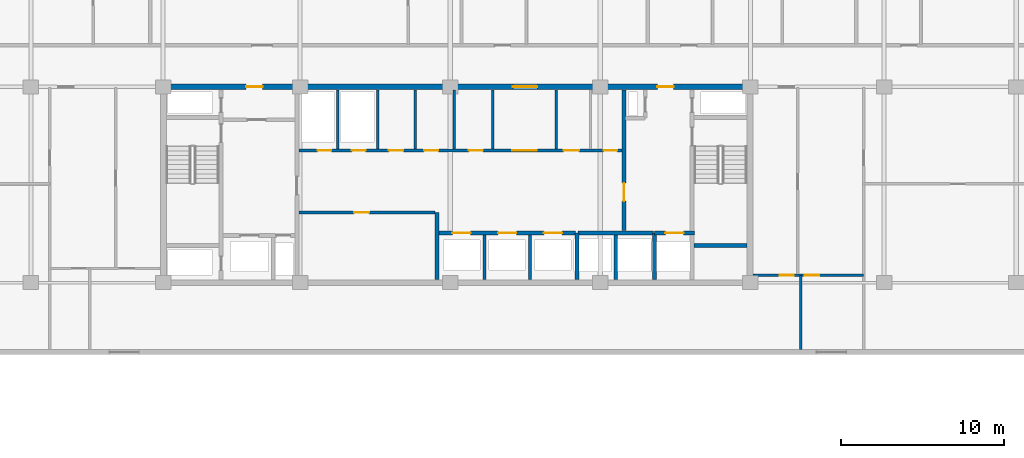
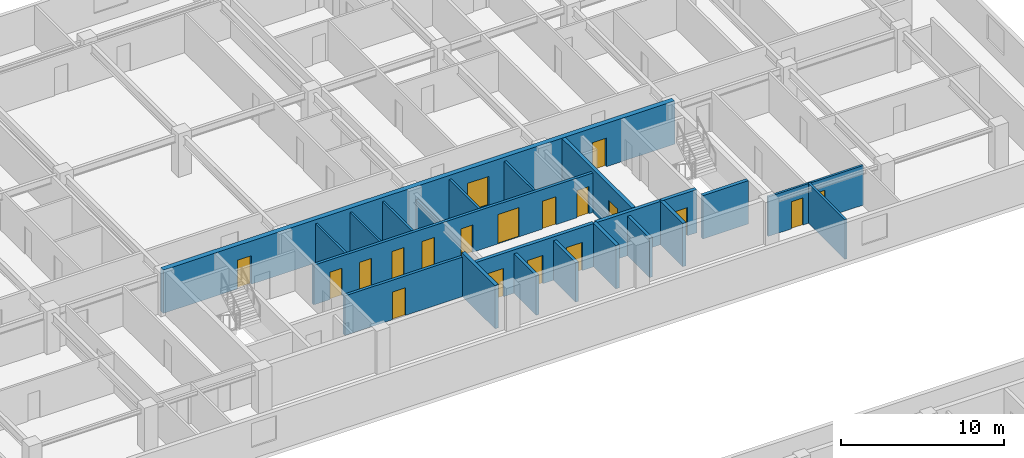
# One storey, part 12 of 22: 22 walls, 19 doors, 19 openings.
"""IFC4 building model written with IfcOpenShell, lengths in metres."""

from ifc_helpers import new_model, si_unit, direction, frame, frame_2d, origin, place, context, subcontext, project, spatial, rectangle, extrude, material, layer, layer_set, type_object, element, fill, save


model = new_model("IFC4")

# Units and contexts
model_context = context("Model", 3, precision=1e-05, world=origin(), true_north=direction((0.0, 1.0)))
body_context = subcontext(model_context, "Body", "Model", "MODEL_VIEW")
ifc_project = project(units=[si_unit("LENGTHUNIT", "METRE"), si_unit("AREAUNIT", "SQUARE_METRE"), si_unit("VOLUMEUNIT", "CUBIC_METRE"), si_unit("PLANEANGLEUNIT", "RADIAN"), si_unit("MASSUNIT", "GRAM", prefix="KILO")], contexts=[model_context])

# Site, building, storey
site_placement = place(None, origin())
site = spatial("IfcSite", under=ifc_project, at=site_placement, CompositionType="ELEMENT")
building_placement = place(site_placement, origin())
building = spatial("IfcBuilding", under=site, at=building_placement, Name="Korimba Cascade Residences", CompositionType="ELEMENT")
storey_placement = place(building_placement, frame((0.0, 0.0, 110.050048828125)))
storey = spatial("IfcBuildingStorey", under=building, at=storey_placement, Name="L31", CompositionType="ELEMENT", Elevation=110.050048828125)

# Wall, openings, doors
ifc_material_1 = material(Name="Concrete C65/80", Category="concrete")
ifc_layer_1 = layer(ifc_material_1, 0.35009765625)
ifc_layer_set_1 = layer_set([ifc_layer_1], Name="Concrete C65/80")
wall_type_1 = type_object("IfcWallType", Name="WAL-CORE-350", PredefinedType="SHEAR", material=ifc_layer_set_1)
wall_1_placement = place(storey_placement, frame((75.949951171875, 67.199951171875, 0.0), z_axis=(0.0, 0.0, 1.0), x_axis=(1.0, 0.0, 0.0)))
wall_1 = element("IfcWall", 1, at=wall_1_placement, inside=storey, type_object=wall_type_1, Name="L31 Core Shear Wall CW-L31-T1-N", PredefinedType="SHEAR", context=body_context, shape_type="SweptSolid", body=[
    extrude(rectangle(XDim=36.300048828125, YDim=0.35009765625, at=frame_2d((18.14990234375, 0.0))), origin(), (0.0, 0.0, 1.0), 3.25),
])
opening_1_placement = place(wall_1_placement, frame((5.25, 0.0, 0.0)))
opening_1 = element("IfcOpeningElement", 2, at=opening_1_placement, cuts=wall_1, Name="Opening D-FD5", PredefinedType="OPENING", context=body_context, shape_type="SweptSolid", body=[
    extrude(rectangle(XDim=1.0, YDim=2.14990234375, at=frame_2d((0.5, 1.074951171875))), frame((0.0, 0.18505859375, 0.0), z_axis=(0.0, -1.0, 0.0), x_axis=(1.0, 0.0, 0.0)), (0.0, 0.0, 1.0), 0.3701171875),
])
opening_2_placement = place(wall_1_placement, frame((21.60009765625, 0.0, 0.0)))
opening_2 = element("IfcOpeningElement", 3, at=opening_2_placement, cuts=wall_1, Name="Opening D-FD8", PredefinedType="OPENING", context=body_context, shape_type="SweptSolid", body=[
    extrude(rectangle(XDim=1.5, YDim=2.199951171875, at=frame_2d((0.75, 1.10009765625))), frame((0.0, 0.18505859375, 0.0), z_axis=(0.0, -1.0, 0.0), x_axis=(1.0, 0.0, 0.0)), (0.0, 0.0, 1.0), 0.3701171875),
])
opening_3_placement = place(wall_1_placement, frame((30.449951171875, 0.0, 0.0)))
opening_3 = element("IfcOpeningElement", 4, at=opening_3_placement, cuts=wall_1, Name="Opening D-FD5", PredefinedType="OPENING", context=body_context, shape_type="SweptSolid", body=[
    extrude(rectangle(XDim=1.0, YDim=2.14990234375, at=frame_2d((0.5, 1.074951171875))), frame((0.0, 0.18505859375, 0.0), z_axis=(0.0, -1.0, 0.0), x_axis=(1.0, 0.0, 0.0)), (0.0, 0.0, 1.0), 0.3701171875),
])
ifc_material_2 = material(Name="Fire-Rated Acoustic Timber Vestibule Door", Category="wood")
door_type_1 = type_object("IfcDoorType", Name="DR-FD90-1000", OperationType="NOTDEFINED", PredefinedType="DOOR", material=ifc_material_2)
door_1_placement = place(opening_1_placement, origin())
door_1 = element("IfcDoor", 5, at=door_1_placement, inside=storey, type_object=door_type_1, Name="L31 T1 West Core Vestibule Fire Door", OperationType="SINGLE_SWING_RIGHT", OverallHeight=2.14990234375, OverallWidth=1.0, PredefinedType="DOOR", context=body_context, shape_type="SweptSolid", body=[
    extrude(rectangle(XDim=1.0, YDim=2.14990234375, at=frame_2d((0.5, 1.074951171875))), frame((0.0, 0.02490234375, 0.0), z_axis=(0.0, -1.0, 0.0), x_axis=(1.0, 0.0, 0.0)), (0.0, 0.0, 1.0), 0.050048828125),
])
fill(opening_1, door_1)
door_2_placement = place(opening_3_placement, origin())
door_2 = element("IfcDoor", 6, at=door_2_placement, inside=storey, type_object=door_type_1, Name="L31 T1 East Firefighting Vestibule Fire Door", OperationType="SINGLE_SWING_LEFT", OverallHeight=2.14990234375, OverallWidth=1.0, PredefinedType="DOOR", context=body_context, shape_type="SweptSolid", body=[
    extrude(rectangle(XDim=1.0, YDim=2.14990234375, at=frame_2d((0.5, 1.074951171875))), frame((0.0, 0.02490234375, 0.0), z_axis=(0.0, -1.0, 0.0), x_axis=(1.0, 0.0, 0.0)), (0.0, 0.0, 1.0), 0.050048828125),
])
fill(opening_3, door_2)
ifc_material_3 = material(Name="Fire-Rated Glazed Lift Lobby Double Door", Category="glass")
door_type_2 = type_object("IfcDoorType", Name="DR-FD90-1500", OperationType="NOTDEFINED", PredefinedType="DOOR", material=ifc_material_3)
door_3_placement = place(opening_2_placement, origin())
door_3 = element("IfcDoor", 7, at=door_3_placement, inside=storey, type_object=door_type_2, Name="L31 T1 Lift Lobby Fire Door", OperationType="DOUBLE_DOOR_SINGLE_SWING", OverallHeight=2.199951171875, OverallWidth=1.5, PredefinedType="DOOR", context=body_context, shape_type="SweptSolid", body=[
    extrude(rectangle(XDim=1.5, YDim=2.199951171875, at=frame_2d((0.75, 1.10009765625))), frame((0.0, 0.02490234375, 0.0), z_axis=(0.0, -1.0, 0.0), x_axis=(1.0, 0.0, 0.0)), (0.0, 0.0, 1.0), 0.050048828125),
])
fill(opening_2, door_3)

# Walls
ifc_material_4 = material(Name="Insulated Acoustic Stud Partition", Category="gypsum")
ifc_layer_2 = layer(ifc_material_4, 0.14990234375)
ifc_layer_set_2 = layer_set([ifc_layer_2], Name="Insulated Acoustic Stud Partition")
wall_type_2 = type_object("IfcWallType", Name="WAL-PART-150", PredefinedType="PARTITIONING", material=ifc_layer_set_2)
for number, where, z_axis, x_axis, name in (
    (8, (86.800048828125, 63.39990234375, 0.0), (0.0, 0.0, 1.0), (0.0, 1.0, 0.0), "L31 Partition Wall CW-L31-T1-ERDIV"),
    (9, (89.25, 63.39990234375, 0.0), (0.0, 0.0, 1.0), (0.0, 1.0, 0.0), "L31 Partition Wall CW-L31-T1-PRDIV"),
    (10, (91.550048828125, 63.39990234375, 0.0), (0.0, 0.0, 1.0), (0.0, 1.0, 0.0), "L31 Partition Wall CW-L31-T1-CA1W1"),
):
    element("IfcWall", number, at=place(storey_placement, frame(where, z_axis=z_axis, x_axis=x_axis)), inside=storey, type_object=wall_type_2, Name=name, PredefinedType="PARTITIONING", context=body_context, shape_type="SweptSolid", body=[
        extrude(rectangle(XDim=3.60009765625, YDim=0.14990234375, at=frame_2d((1.800048828125, 0.0))), origin(), (0.0, 0.0, 1.0), 2.969970703125),
    ])
wall_2_placement = place(storey_placement, frame((93.949951171875, 63.39990234375, 0.0), z_axis=(0.0, 0.0, 1.0), x_axis=(0.0, 1.0, 0.0)))
element("IfcWall", 11, at=wall_2_placement, inside=storey, type_object=wall_type_2, Name="L31 Partition Wall CW-L31-T1-CA1W2", PredefinedType="PARTITIONING", context=body_context, shape_type="SweptSolid", body=[
    extrude(rectangle(XDim=3.60009765625, YDim=0.14990234375, at=frame_2d((1.800048828125, 0.0))), origin(), (0.0, 0.0, 1.0), 2.277099609375),
])
for number, where, z_axis, x_axis, name in (
    (12, (96.300048828125, 63.39990234375, 0.0), (0.0, 0.0, 1.0), (0.0, 1.0, 0.0), "L31 Partition Wall CW-L31-T1-THW"),
    (13, (100.199951171875, 63.39990234375, 0.0), (0.0, 0.0, 1.0), (0.0, 1.0, 0.0), "L31 Partition Wall CW-L31-T1-THE"),
):
    element("IfcWall", number, at=place(storey_placement, frame(where, z_axis=z_axis, x_axis=x_axis)), inside=storey, type_object=wall_type_2, Name=name, PredefinedType="PARTITIONING", context=body_context, shape_type="SweptSolid", body=[
        extrude(rectangle(XDim=3.60009765625, YDim=0.14990234375, at=frame_2d((1.800048828125, 0.0))), origin(), (0.0, 0.0, 1.0), 2.969970703125),
    ])
wall_3_placement = place(storey_placement, frame((115.199951171875, 51.10009765625, 0.0), z_axis=(0.0, 0.0, 1.0), x_axis=(0.0, 1.0, 0.0)))
element("IfcWall", 14, at=wall_3_placement, inside=storey, type_object=wall_type_2, Name="L31 Partition Wall WAL-L31-T1-FE-VS", PredefinedType="PARTITIONING", context=body_context, shape_type="SweptSolid", body=[
    extrude(rectangle(XDim=4.5498046875, YDim=0.14990234375, at=frame_2d((2.27490234375, 0.0))), origin(), (0.0, 0.0, 1.0), 2.969970703125),
])

# Wall, openings, doors
wall_4_placement = place(storey_placement, frame((112.27001953125, 55.64990234375, 0.0), z_axis=(0.0, 0.0, 1.0), x_axis=(1.0, 0.0, 0.0)))
wall_4 = element("IfcWall", 15, at=wall_4_placement, inside=storey, type_object=wall_type_2, Name="L31 Partition Wall WAL-L31-T1-FE-H", PredefinedType="PARTITIONING", context=body_context, shape_type="SweptSolid", body=[
    extrude(rectangle(XDim=6.760009765625, YDim=0.14990234375, at=frame_2d((3.3798828125, 0.0))), origin(), (0.0, 0.0, 1.0), 2.969970703125),
])
opening_4_placement = place(wall_4_placement, frame((1.6396484375, 0.0, 0.0)))
opening_4 = element("IfcOpeningElement", 16, at=opening_4_placement, cuts=wall_4, Name="Opening D-BT1", PredefinedType="OPENING", context=body_context, shape_type="SweptSolid", body=[
    extrude(rectangle(XDim=0.840087890625, YDim=2.0400390625, at=frame_2d((0.419921875, 1.02001953125))), frame((0.0, 0.0849609375, 0.0), z_axis=(0.0, -1.0, 0.0), x_axis=(1.0, 0.0, 0.0)), (0.0, 0.0, 1.0), 0.169921875),
])
opening_5_placement = place(wall_4_placement, frame((3.160400390625, 0.0, 0.0)))
opening_5 = element("IfcOpeningElement", 17, at=opening_5_placement, cuts=wall_4, Name="Opening D-IN2", PredefinedType="OPENING", context=body_context, shape_type="SweptSolid", body=[
    extrude(rectangle(XDim=0.8798828125, YDim=2.06005859375, at=frame_2d((0.43994140625, 1.030029296875))), frame((0.0, 0.0849609375, 0.0), z_axis=(0.0, -1.0, 0.0), x_axis=(1.0, 0.0, 0.0)), (0.0, 0.0, 1.0), 0.169921875),
])
ifc_material_5 = material(Name="Moisture-Resistant Bathroom Timber Door", Category="wood")
door_type_3 = type_object("IfcDoorType", Name="DR-INT-850", OperationType="NOTDEFINED", PredefinedType="DOOR", material=ifc_material_5)
door_4_placement = place(opening_4_placement, origin())
door_4 = element("IfcDoor", 18, at=door_4_placement, inside=storey, type_object=door_type_3, Name="L31-T1-FE Bathroom Door", OperationType="SINGLE_SWING_LEFT", OverallHeight=2.0400390625, OverallWidth=0.840087890625, PredefinedType="DOOR", context=body_context, shape_type="SweptSolid", body=[
    extrude(rectangle(XDim=0.840087890625, YDim=2.0400390625, at=frame_2d((0.419921875, 1.02001953125))), frame((0.0, 0.02490234375, 0.0), z_axis=(0.0, -1.0, 0.0), x_axis=(1.0, 0.0, 0.0)), (0.0, 0.0, 1.0), 0.050048828125),
])
fill(opening_4, door_4)
ifc_material_6 = material(Name="Acoustic Timber Bedroom Door", Category="wood")
door_type_4 = type_object("IfcDoorType", Name="DR-INT-880", OperationType="NOTDEFINED", PredefinedType="DOOR", material=ifc_material_6)
door_5_placement = place(opening_5_placement, origin())
door_5 = element("IfcDoor", 19, at=door_5_placement, inside=storey, type_object=door_type_4, Name="L31-T1-FE Bedroom Door", OperationType="SINGLE_SWING_RIGHT", OverallHeight=2.06005859375, OverallWidth=0.8798828125, PredefinedType="DOOR", context=body_context, shape_type="SweptSolid", body=[
    extrude(rectangle(XDim=0.8798828125, YDim=2.06005859375, at=frame_2d((0.43994140625, 1.030029296875))), frame((0.0, 0.02490234375, 0.0), z_axis=(0.0, -1.0, 0.0), x_axis=(1.0, 0.0, 0.0)), (0.0, 0.0, 1.0), 0.050048828125),
])
fill(opening_5, door_5)

# Wall, opening, door
ifc_material_7 = material(Name="Concrete C40/50", Category="concrete")
ifc_layer_3 = layer(ifc_material_7, 0.199951171875)
ifc_layer_set_3 = layer_set([ifc_layer_3], Name="Concrete C40/50")
wall_type_3 = type_object("IfcWallType", Name="WAL-PART-200", PredefinedType="PARTITIONING", material=ifc_layer_set_3)
wall_5_placement = place(storey_placement, frame((84.419921875, 59.5, 0.0), z_axis=(0.0, 0.0, 1.0), x_axis=(1.0, 0.0, 0.0)))
wall_5 = element("IfcWall", 20, at=wall_5_placement, inside=storey, type_object=wall_type_3, Name="L31 Partition Wall CW-L31-T1-B1RN", PredefinedType="PARTITIONING", context=body_context, shape_type="SweptSolid", body=[
    extrude(rectangle(XDim=8.360107421875, YDim=0.199951171875, at=frame_2d((4.18017578125, 0.0))), origin(), (0.0, 0.0, 1.0), 2.969970703125),
])
opening_6_placement = place(wall_5_placement, frame((3.39990234375, 0.0, 0.0)))
opening_6 = element("IfcOpeningElement", 21, at=opening_6_placement, cuts=wall_5, Name="Opening D-ST1", PredefinedType="OPENING", context=body_context, shape_type="SweptSolid", body=[
    extrude(rectangle(XDim=0.919921875, YDim=2.080078125, at=frame_2d((0.4599609375, 1.0400390625))), frame((0.0, 0.10986328125, 0.0), z_axis=(0.0, -1.0, 0.0), x_axis=(1.0, 0.0, 0.0)), (0.0, 0.0, 1.0), 0.219970703125),
])
ifc_material_8 = material(Name="Fire-Rated Core Store Door", Category="wood")
door_type_5 = type_object("IfcDoorType", Name="DR-FD60-920", OperationType="NOTDEFINED", PredefinedType="DOOR", material=ifc_material_8)
door_6_placement = place(opening_6_placement, origin())
door_6 = element("IfcDoor", 22, at=door_6_placement, inside=storey, type_object=door_type_5, Name="L31 Resident Storage Door", OperationType="SINGLE_SWING_RIGHT", OverallHeight=2.080078125, OverallWidth=0.919921875, PredefinedType="DOOR", context=body_context, shape_type="SweptSolid", body=[
    extrude(rectangle(XDim=0.919921875, YDim=2.080078125, at=frame_2d((0.4599609375, 1.0400390625))), frame((0.0, 0.02490234375, 0.0), z_axis=(0.0, -1.0, 0.0), x_axis=(1.0, 0.0, 0.0)), (0.0, 0.0, 1.0), 0.050048828125),
])
fill(opening_6, door_6)

# Walls
for number, where, z_axis, x_axis, name in (
    (23, (95.800048828125, 55.39990234375, 0.0), (0.0, 0.0, 1.0), (0.0, 1.0, 0.0), "L31 Partition Wall CW-L31-T1-B2D1"),
    (24, (98.60009765625, 55.39990234375, 0.0), (0.0, 0.0, 1.0), (0.0, 1.0, 0.0), "L31 Partition Wall CW-L31-T1-B2D2"),
    (25, (103.85009765625, 55.39990234375, 0.0), (0.0, 0.0, 1.0), (0.0, 1.0, 0.0), "L31 Partition Wall CW-L31-T1-B3D1"),
):
    element("IfcWall", number, at=place(storey_placement, frame(where, z_axis=z_axis, x_axis=x_axis)), inside=storey, type_object=wall_type_3, Name=name, PredefinedType="PARTITIONING", context=body_context, shape_type="SweptSolid", body=[
        extrude(rectangle(XDim=2.72021484375, YDim=0.199951171875, at=frame_2d((1.360107421875, 0.0))), origin(), (0.0, 0.0, 1.0), 2.969970703125),
    ])

# Wall, openings, doors
wall_6_placement = place(storey_placement, frame((84.419921875, 63.300048828125, 0.0), z_axis=(0.0, 0.0, 1.0), x_axis=(1.0, 0.0, 0.0)))
wall_6 = element("IfcWall", 26, at=wall_6_placement, inside=storey, type_object=wall_type_3, Name="L31 Partition Wall CW-L31-T1-SRVROW", PredefinedType="PARTITIONING", context=body_context, shape_type="SweptSolid", body=[
    extrude(rectangle(XDim=19.830078125, YDim=0.199951171875, at=frame_2d((9.9150390625, 0.0))), origin(), (0.0, 0.0, 1.0), 2.969970703125),
])
opening_7_placement = place(wall_6_placement, frame((1.14990234375, 0.0, 0.0)))
opening_7 = element("IfcOpeningElement", 27, at=opening_7_placement, cuts=wall_6, Name="Opening D-RS1", PredefinedType="OPENING", context=body_context, shape_type="SweptSolid", body=[
    extrude(rectangle(XDim=0.85009765625, YDim=2.050048828125, at=frame_2d((0.425048828125, 1.02490234375))), frame((0.0, 0.10986328125, 0.0), z_axis=(0.0, -1.0, 0.0), x_axis=(1.0, 0.0, 0.0)), (0.0, 0.0, 1.0), 0.219970703125),
])
opening_8_placement = place(wall_6_placement, frame((3.25, 0.0, 0.0)))
opening_8 = element("IfcOpeningElement", 28, at=opening_8_placement, cuts=wall_6, Name="Opening D-RS1", PredefinedType="OPENING", context=body_context, shape_type="SweptSolid", body=[
    extrude(rectangle(XDim=0.85009765625, YDim=2.050048828125, at=frame_2d((0.425048828125, 1.02490234375))), frame((0.0, 0.10986328125, 0.0), z_axis=(0.0, -1.0, 0.0), x_axis=(1.0, 0.0, 0.0)), (0.0, 0.0, 1.0), 0.219970703125),
])
opening_9_placement = place(wall_6_placement, frame((13.080078125, 0.0, 0.0)))
opening_9 = element("IfcOpeningElement", 29, at=opening_9_placement, cuts=wall_6, Name="Opening D-FD8", PredefinedType="OPENING", context=body_context, shape_type="SweptSolid", body=[
    extrude(rectangle(XDim=1.5, YDim=2.199951171875, at=frame_2d((0.75, 1.10009765625))), frame((0.0, 0.10986328125, 0.0), z_axis=(0.0, -1.0, 0.0), x_axis=(1.0, 0.0, 0.0)), (0.0, 0.0, 1.0), 0.219970703125),
])
opening_10_placement = place(wall_6_placement, frame((5.530029296875, 0.0, 0.0)))
opening_10 = element("IfcOpeningElement", 30, at=opening_10_placement, cuts=wall_6, Name="Opening D-IN2", PredefinedType="OPENING", context=body_context, shape_type="SweptSolid", body=[
    extrude(rectangle(XDim=0.8798828125, YDim=2.06005859375, at=frame_2d((0.43994140625, 1.030029296875))), frame((0.0, 0.10986328125, 0.0), z_axis=(0.0, -1.0, 0.0), x_axis=(1.0, 0.0, 0.0)), (0.0, 0.0, 1.0), 0.219970703125),
])
opening_11_placement = place(wall_6_placement, frame((7.679931640625, 0.0, 0.0)))
opening_11 = element("IfcOpeningElement", 31, at=opening_11_placement, cuts=wall_6, Name="Opening D-IN2", PredefinedType="OPENING", context=body_context, shape_type="SweptSolid", body=[
    extrude(rectangle(XDim=0.8798828125, YDim=2.06005859375, at=frame_2d((0.43994140625, 1.030029296875))), frame((0.0, 0.10986328125, 0.0), z_axis=(0.0, -1.0, 0.0), x_axis=(1.0, 0.0, 0.0)), (0.0, 0.0, 1.0), 0.219970703125),
])
opening_12_placement = place(wall_6_placement, frame((10.429931640625, 0.0, 0.0)))
opening_12 = element("IfcOpeningElement", 32, at=opening_12_placement, cuts=wall_6, Name="Opening D-RS1", PredefinedType="OPENING", context=body_context, shape_type="SweptSolid", body=[
    extrude(rectangle(XDim=0.85009765625, YDim=2.050048828125, at=frame_2d((0.425048828125, 1.02490234375))), frame((0.0, 0.10986328125, 0.0), z_axis=(0.0, -1.0, 0.0), x_axis=(1.0, 0.0, 0.0)), (0.0, 0.0, 1.0), 0.219970703125),
])
opening_13_placement = place(wall_6_placement, frame((16.22998046875, 0.0, 0.0)))
opening_13 = element("IfcOpeningElement", 33, at=opening_13_placement, cuts=wall_6, Name="Opening D-AC1", PredefinedType="OPENING", context=body_context, shape_type="SweptSolid", body=[
    extrude(rectangle(XDim=0.9599609375, YDim=2.10009765625, at=frame_2d((0.47998046875, 1.050048828125))), frame((0.0, 0.10986328125, 0.0), z_axis=(0.0, -1.0, 0.0), x_axis=(1.0, 0.0, 0.0)), (0.0, 0.0, 1.0), 0.219970703125),
])
opening_14_placement = place(wall_6_placement, frame((18.679931640625, 0.0, 0.0)))
opening_14 = element("IfcOpeningElement", 34, at=opening_14_placement, cuts=wall_6, Name="Opening D-BT1", PredefinedType="OPENING", context=body_context, shape_type="SweptSolid", body=[
    extrude(rectangle(XDim=0.840087890625, YDim=2.0400390625, at=frame_2d((0.419921875, 1.02001953125))), frame((0.0, 0.10986328125, 0.0), z_axis=(0.0, -1.0, 0.0), x_axis=(1.0, 0.0, 0.0)), (0.0, 0.0, 1.0), 0.219970703125),
])
ifc_material_9 = material(Name="Accessible Acoustic Timber WC Door", Category="wood")
door_type_6 = type_object("IfcDoorType", Name="DR-ACC-950", OperationType="NOTDEFINED", PredefinedType="DOOR", material=ifc_material_9)
door_7_placement = place(opening_13_placement, origin())
door_7 = element("IfcDoor", 35, at=door_7_placement, inside=storey, type_object=door_type_6, Name="L31 Accessible Staff WC Door", OperationType="SINGLE_SWING_RIGHT", OverallHeight=2.10009765625, OverallWidth=0.9599609375, PredefinedType="DOOR", context=body_context, shape_type="SweptSolid", body=[
    extrude(rectangle(XDim=0.9599609375, YDim=2.10009765625, at=frame_2d((0.47998046875, 1.050048828125))), frame((0.0, 0.02490234375, 0.0), z_axis=(0.0, -1.0, 0.0), x_axis=(1.0, 0.0, 0.0)), (0.0, 0.0, 1.0), 0.050048828125),
])
fill(opening_13, door_7)
ifc_material_10 = material(Name="Fire-Rated Steel Riser Access Door", Category="steel")
door_type_7 = type_object("IfcDoorType", Name="DR-FD60-850", OperationType="NOTDEFINED", PredefinedType="DOOR", material=ifc_material_10)
door_8_placement = place(opening_7_placement, origin())
door_8 = element("IfcDoor", 36, at=door_8_placement, inside=storey, type_object=door_type_7, Name="L31 Electrical Riser Door", OperationType="SINGLE_SWING_LEFT", OverallHeight=2.050048828125, OverallWidth=0.85009765625, PredefinedType="DOOR", context=body_context, shape_type="SweptSolid", body=[
    extrude(rectangle(XDim=0.85009765625, YDim=2.050048828125, at=frame_2d((0.425048828125, 1.02490234375))), frame((0.0, 0.02490234375, 0.0), z_axis=(0.0, -1.0, 0.0), x_axis=(1.0, 0.0, 0.0)), (0.0, 0.0, 1.0), 0.050048828125),
])
fill(opening_7, door_8)
door_9_placement = place(opening_8_placement, origin())
door_9 = element("IfcDoor", 37, at=door_9_placement, inside=storey, type_object=door_type_7, Name="L31 Plumbing Riser Door", OperationType="SINGLE_SWING_RIGHT", OverallHeight=2.050048828125, OverallWidth=0.85009765625, PredefinedType="DOOR", context=body_context, shape_type="SweptSolid", body=[
    extrude(rectangle(XDim=0.85009765625, YDim=2.050048828125, at=frame_2d((0.425048828125, 1.02490234375))), frame((0.0, 0.02490234375, 0.0), z_axis=(0.0, -1.0, 0.0), x_axis=(1.0, 0.0, 0.0)), (0.0, 0.0, 1.0), 0.050048828125),
])
fill(opening_8, door_9)
door_10_placement = place(opening_12_placement, origin())
door_10 = element("IfcDoor", 38, at=door_10_placement, inside=storey, type_object=door_type_7, Name="L31 IT Room Door", OperationType="SINGLE_SWING_LEFT", OverallHeight=2.050048828125, OverallWidth=0.85009765625, PredefinedType="DOOR", context=body_context, shape_type="SweptSolid", body=[
    extrude(rectangle(XDim=0.85009765625, YDim=2.050048828125, at=frame_2d((0.425048828125, 1.02490234375))), frame((0.0, 0.02490234375, 0.0), z_axis=(0.0, -1.0, 0.0), x_axis=(1.0, 0.0, 0.0)), (0.0, 0.0, 1.0), 0.050048828125),
])
fill(opening_12, door_10)
door_11_placement = place(opening_9_placement, origin())
door_11 = element("IfcDoor", 39, at=door_11_placement, inside=storey, type_object=door_type_2, Name="L31 Lift Lobby Foyer Archway Door", OperationType="DOUBLE_DOOR_SINGLE_SWING", OverallHeight=2.199951171875, OverallWidth=1.5, PredefinedType="DOOR", context=body_context, shape_type="SweptSolid", body=[
    extrude(rectangle(XDim=1.5, YDim=2.199951171875, at=frame_2d((0.75, 1.10009765625))), frame((0.0, 0.02490234375, 0.0), z_axis=(0.0, -1.0, 0.0), x_axis=(1.0, 0.0, 0.0)), (0.0, 0.0, 1.0), 0.050048828125),
])
fill(opening_9, door_11)
door_12_placement = place(opening_14_placement, origin())
door_12 = element("IfcDoor", 40, at=door_12_placement, inside=storey, type_object=door_type_3, Name="L31 Vending Room Door", OperationType="SINGLE_SWING_LEFT", OverallHeight=2.0400390625, OverallWidth=0.840087890625, PredefinedType="DOOR", context=body_context, shape_type="SweptSolid", body=[
    extrude(rectangle(XDim=0.840087890625, YDim=2.0400390625, at=frame_2d((0.419921875, 1.02001953125))), frame((0.0, 0.02490234375, 0.0), z_axis=(0.0, -1.0, 0.0), x_axis=(1.0, 0.0, 0.0)), (0.0, 0.0, 1.0), 0.050048828125),
])
fill(opening_14, door_12)
door_13_placement = place(opening_10_placement, origin())
door_13 = element("IfcDoor", 41, at=door_13_placement, inside=storey, type_object=door_type_4, Name="L31 Cleaners Door", OperationType="SINGLE_SWING_LEFT", OverallHeight=2.06005859375, OverallWidth=0.8798828125, PredefinedType="DOOR", context=body_context, shape_type="SweptSolid", body=[
    extrude(rectangle(XDim=0.8798828125, YDim=2.06005859375, at=frame_2d((0.43994140625, 1.030029296875))), frame((0.0, 0.02490234375, 0.0), z_axis=(0.0, -1.0, 0.0), x_axis=(1.0, 0.0, 0.0)), (0.0, 0.0, 1.0), 0.050048828125),
])
fill(opening_10, door_13)
door_14_placement = place(opening_11_placement, origin())
door_14 = element("IfcDoor", 42, at=door_14_placement, inside=storey, type_object=door_type_4, Name="L31 Pantry Door", OperationType="SINGLE_SWING_RIGHT", OverallHeight=2.06005859375, OverallWidth=0.8798828125, PredefinedType="DOOR", context=body_context, shape_type="SweptSolid", body=[
    extrude(rectangle(XDim=0.8798828125, YDim=2.06005859375, at=frame_2d((0.43994140625, 1.030029296875))), frame((0.0, 0.02490234375, 0.0), z_axis=(0.0, -1.0, 0.0), x_axis=(1.0, 0.0, 0.0)), (0.0, 0.0, 1.0), 0.050048828125),
])
fill(opening_11, door_14)

# Wall
ifc_material_11 = material(Name="Concrete C50/60", Category="concrete")
ifc_layer_4 = layer(ifc_material_11, 0.25)
ifc_layer_set_4 = layer_set([ifc_layer_4], Name="Concrete C50/60")
wall_type_4 = type_object("IfcWallType", Name="WAL-SHAFT-250", PredefinedType="SHEAR", material=ifc_layer_set_4)
wall_7_placement = place(storey_placement, frame((92.89990234375, 55.39990234375, 0.0), z_axis=(0.0, 0.0, 1.0), x_axis=(0.0, 1.0, 0.0)))
element("IfcWall", 43, at=wall_7_placement, inside=storey, type_object=wall_type_4, Name="L31 Core Shear Wall CW-L31-T1-B12DIV", PredefinedType="SHEAR", context=body_context, shape_type="SweptSolid", body=[
    extrude(rectangle(XDim=4.10009765625, YDim=0.25, at=frame_2d((2.050048828125, 0.0))), origin(), (0.0, 0.0, 1.0), 3.25),
])

# Wall, openings, doors
wall_8_placement = place(storey_placement, frame((93.02001953125, 58.25, 0.0), z_axis=(0.0, 0.0, 1.0), x_axis=(1.0, 0.0, 0.0)))
wall_8 = element("IfcWall", 44, at=wall_8_placement, inside=storey, type_object=wall_type_4, Name="L31 Core Shear Wall CW-L31-T1-B2N", PredefinedType="SHEAR", context=body_context, shape_type="SweptSolid", body=[
    extrude(rectangle(XDim=8.35986328125, YDim=0.25, at=frame_2d((4.179931640625, 0.0))), origin(), (0.0, 0.0, 1.0), 3.25),
])
opening_15_placement = place(wall_8_placement, frame((0.820068359375, 0.0, 0.0)))
opening_15 = element("IfcOpeningElement", 45, at=opening_15_placement, cuts=wall_8, Name="Opening LD-01", PredefinedType="OPENING", context=body_context, shape_type="SweptSolid", body=[
    extrude(rectangle(XDim=1.1201171875, YDim=2.1201171875, at=frame_2d((0.56005859375, 1.06005859375))), frame((0.0, 0.135009765625, 0.0), z_axis=(0.0, -1.0, 0.0), x_axis=(1.0, 0.0, 0.0)), (0.0, 0.0, 1.0), 0.27001953125),
])
opening_16_placement = place(wall_8_placement, frame((3.6201171875, 0.0, 0.0)))
opening_16 = element("IfcOpeningElement", 46, at=opening_16_placement, cuts=wall_8, Name="Opening LD-01", PredefinedType="OPENING", context=body_context, shape_type="SweptSolid", body=[
    extrude(rectangle(XDim=1.1201171875, YDim=2.1201171875, at=frame_2d((0.56005859375, 1.06005859375))), frame((0.0, 0.135009765625, 0.0), z_axis=(0.0, -1.0, 0.0), x_axis=(1.0, 0.0, 0.0)), (0.0, 0.0, 1.0), 0.27001953125),
])
opening_17_placement = place(wall_8_placement, frame((6.419921875, 0.0, 0.0)))
opening_17 = element("IfcOpeningElement", 47, at=opening_17_placement, cuts=wall_8, Name="Opening LD-01", PredefinedType="OPENING", context=body_context, shape_type="SweptSolid", body=[
    extrude(rectangle(XDim=1.1201171875, YDim=2.1201171875, at=frame_2d((0.56005859375, 1.06005859375))), frame((0.0, 0.135009765625, 0.0), z_axis=(0.0, -1.0, 0.0), x_axis=(1.0, 0.0, 0.0)), (0.0, 0.0, 1.0), 0.27001953125),
])
ifc_material_12 = material(Name="Stainless Steel Lift Landing Sliding Door", Category="steel")
door_type_8 = type_object("IfcDoorType", Name="DR-LIFT-1100", OperationType="NOTDEFINED", PredefinedType="DOOR", material=ifc_material_12)
door_15_placement = place(opening_15_placement, origin())
door_15 = element("IfcDoor", 48, at=door_15_placement, inside=storey, type_object=door_type_8, Name="L31 Lift Landing Door PL-W4", OperationType="SLIDING_TO_RIGHT", OverallHeight=2.1201171875, OverallWidth=1.1201171875, PredefinedType="DOOR", context=body_context, shape_type="SweptSolid", body=[
    extrude(rectangle(XDim=1.1201171875, YDim=2.1201171875, at=frame_2d((0.56005859375, 1.06005859375))), frame((0.0, 0.02490234375, 0.0), z_axis=(0.0, -1.0, 0.0), x_axis=(1.0, 0.0, 0.0)), (0.0, 0.0, 1.0), 0.050048828125),
])
fill(opening_15, door_15)
door_16_placement = place(opening_16_placement, origin())
door_16 = element("IfcDoor", 49, at=door_16_placement, inside=storey, type_object=door_type_8, Name="L31 Lift Landing Door PL-W5", OperationType="SLIDING_TO_RIGHT", OverallHeight=2.1201171875, OverallWidth=1.1201171875, PredefinedType="DOOR", context=body_context, shape_type="SweptSolid", body=[
    extrude(rectangle(XDim=1.1201171875, YDim=2.1201171875, at=frame_2d((0.56005859375, 1.06005859375))), frame((0.0, 0.02490234375, 0.0), z_axis=(0.0, -1.0, 0.0), x_axis=(1.0, 0.0, 0.0)), (0.0, 0.0, 1.0), 0.050048828125),
])
fill(opening_16, door_16)
door_17_placement = place(opening_17_placement, origin())
door_17 = element("IfcDoor", 50, at=door_17_placement, inside=storey, type_object=door_type_8, Name="L31 Lift Landing Door PL-W6", OperationType="SLIDING_TO_RIGHT", OverallHeight=2.1201171875, OverallWidth=1.1201171875, PredefinedType="DOOR", context=body_context, shape_type="SweptSolid", body=[
    extrude(rectangle(XDim=1.1201171875, YDim=2.1201171875, at=frame_2d((0.56005859375, 1.06005859375))), frame((0.0, 0.02490234375, 0.0), z_axis=(0.0, -1.0, 0.0), x_axis=(1.0, 0.0, 0.0)), (0.0, 0.0, 1.0), 0.050048828125),
])
fill(opening_17, door_17)

# Walls
wall_9_placement = place(storey_placement, frame((101.47998046875, 55.39990234375, 0.0), z_axis=(0.0, 0.0, 1.0), x_axis=(0.0, 1.0, 0.0)))
element("IfcWall", 51, at=wall_9_placement, inside=storey, type_object=wall_type_4, Name="L31 Core Shear Wall CW-L31-T1-B23DIV", PredefinedType="SHEAR", context=body_context, shape_type="SweptSolid", body=[
    extrude(rectangle(XDim=2.85009765625, YDim=0.25, at=frame_2d((1.425048828125, 0.0))), origin(), (0.0, 0.0, 1.0), 3.25),
])
wall_10_placement = place(storey_placement, frame((101.550048828125, 58.25, 0.0), z_axis=(0.0, 0.0, 1.0), x_axis=(1.0, 0.0, 0.0)))
element("IfcWall", 52, at=wall_10_placement, inside=storey, type_object=wall_type_4, Name="L31 Core Shear Wall CW-L31-T1-B3N", PredefinedType="SHEAR", context=body_context, shape_type="SweptSolid", body=[
    extrude(rectangle(XDim=4.599853515625, YDim=0.25, at=frame_2d((2.2998046875, 0.0))), origin(), (0.0, 0.0, 1.0), 3.25),
])
wall_11_placement = place(storey_placement, frame((106.219970703125, 55.39990234375, 0.0), z_axis=(0.0, 0.0, 1.0), x_axis=(0.0, 1.0, 0.0)))
element("IfcWall", 53, at=wall_11_placement, inside=storey, type_object=wall_type_4, Name="L31 Core Shear Wall CW-L31-T1-FF2W", PredefinedType="SHEAR", context=body_context, shape_type="SweptSolid", body=[
    extrude(rectangle(XDim=2.85009765625, YDim=0.25, at=frame_2d((1.425048828125, 0.0))), origin(), (0.0, 0.0, 1.0), 3.25),
])

# Wall, opening, door
wall_12_placement = place(storey_placement, frame((106.219970703125, 58.25, 0.0), z_axis=(0.0, 0.0, 1.0), x_axis=(1.0, 0.0, 0.0)))
wall_12 = element("IfcWall", 54, at=wall_12_placement, inside=storey, type_object=wall_type_4, Name="L31 Core Shear Wall CW-L31-T1-FF2N", PredefinedType="SHEAR", context=body_context, shape_type="SweptSolid", body=[
    extrude(rectangle(XDim=2.4599609375, YDim=0.25, at=frame_2d((1.22998046875, 0.0))), origin(), (0.0, 0.0, 1.0), 3.25),
])
opening_18_placement = place(wall_12_placement, frame((0.669921875, 0.0, 0.0)))
opening_18 = element("IfcOpeningElement", 55, at=opening_18_placement, cuts=wall_12, Name="Opening LD-01", PredefinedType="OPENING", context=body_context, shape_type="SweptSolid", body=[
    extrude(rectangle(XDim=1.1201171875, YDim=2.1201171875, at=frame_2d((0.56005859375, 1.06005859375))), frame((0.0, 0.135009765625, 0.0), z_axis=(0.0, -1.0, 0.0), x_axis=(1.0, 0.0, 0.0)), (0.0, 0.0, 1.0), 0.27001953125),
])
door_18_placement = place(opening_18_placement, origin())
door_18 = element("IfcDoor", 56, at=door_18_placement, inside=storey, type_object=door_type_8, Name="L31 Firefighting Lift Landing Door FFL-W2", OperationType="SLIDING_TO_RIGHT", OverallHeight=2.1201171875, OverallWidth=1.1201171875, PredefinedType="DOOR", context=body_context, shape_type="SweptSolid", body=[
    extrude(rectangle(XDim=1.1201171875, YDim=2.1201171875, at=frame_2d((0.56005859375, 1.06005859375))), frame((0.0, 0.02490234375, 0.0), z_axis=(0.0, -1.0, 0.0), x_axis=(1.0, 0.0, 0.0)), (0.0, 0.0, 1.0), 0.050048828125),
])
fill(opening_18, door_18)

wall_13_placement = place(storey_placement, frame((104.35009765625, 58.39990234375, 0.0), z_axis=(0.0, 0.0, 1.0), x_axis=(0.0, 1.0, 0.0)))
wall_13 = element("IfcWall", 57, at=wall_13_placement, inside=storey, type_object=wall_type_4, Name="L31 Core Shear Wall CW-L31-T1-LLEV", PredefinedType="SHEAR", context=body_context, shape_type="SweptSolid", body=[
    extrude(rectangle(XDim=8.60009765625, YDim=0.25, at=frame_2d((4.300048828125, 0.0))), origin(), (0.0, 0.0, 1.0), 3.25),
])
opening_19_placement = place(wall_13_placement, frame((1.800048828125, 0.0, 0.0)))
opening_19 = element("IfcOpeningElement", 58, at=opening_19_placement, cuts=wall_13, Name="Opening D-FD1", PredefinedType="OPENING", context=body_context, shape_type="SweptSolid", body=[
    extrude(rectangle(XDim=1.10009765625, YDim=2.10009765625, at=frame_2d((0.550048828125, 1.050048828125))), frame((0.0, 0.135009765625, 0.0), z_axis=(0.0, -1.0, 0.0), x_axis=(1.0, 0.0, 0.0)), (0.0, 0.0, 1.0), 0.27001953125),
])
ifc_material_13 = material(Name="Fire-Rated Steel Core Door", Category="steel")
door_type_9 = type_object("IfcDoorType", Name="DR-FD120-1100", OperationType="NOTDEFINED", PredefinedType="DOOR", material=ifc_material_13)
door_19_placement = place(opening_19_placement, origin())
door_19 = element("IfcDoor", 59, at=door_19_placement, inside=storey, type_object=door_type_9, Name="L31 Lift Lobby to East Firefighting Lobby Door", OperationType="SINGLE_SWING_LEFT", OverallHeight=2.10009765625, OverallWidth=1.10009765625, PredefinedType="DOOR", context=body_context, shape_type="SweptSolid", body=[
    extrude(rectangle(XDim=1.10009765625, YDim=2.10009765625, at=frame_2d((0.550048828125, 1.050048828125))), frame((0.0, 0.02490234375, 0.0), z_axis=(0.0, -1.0, 0.0), x_axis=(1.0, 0.0, 0.0)), (0.0, 0.0, 1.0), 0.050048828125),
])
fill(opening_19, door_19)

# Wall
wall_14_placement = place(storey_placement, frame((108.659912109375, 57.47509765625, 0.0), z_axis=(0.0, 0.0, 1.0), x_axis=(1.0, 0.0, 0.0)))
element("IfcWall", 60, at=wall_14_placement, inside=storey, type_object=wall_type_4, Name="L31 Core Shear Wall CW-L31-T1-STW2S", PredefinedType="SHEAR", context=body_context, shape_type="SweptSolid", body=[
    extrude(rectangle(XDim=3.239990234375, YDim=0.25, at=frame_2d((1.6201171875, 0.0))), origin(), (0.0, 0.0, 1.0), 3.25),
])

save(model, "model.ifc")
